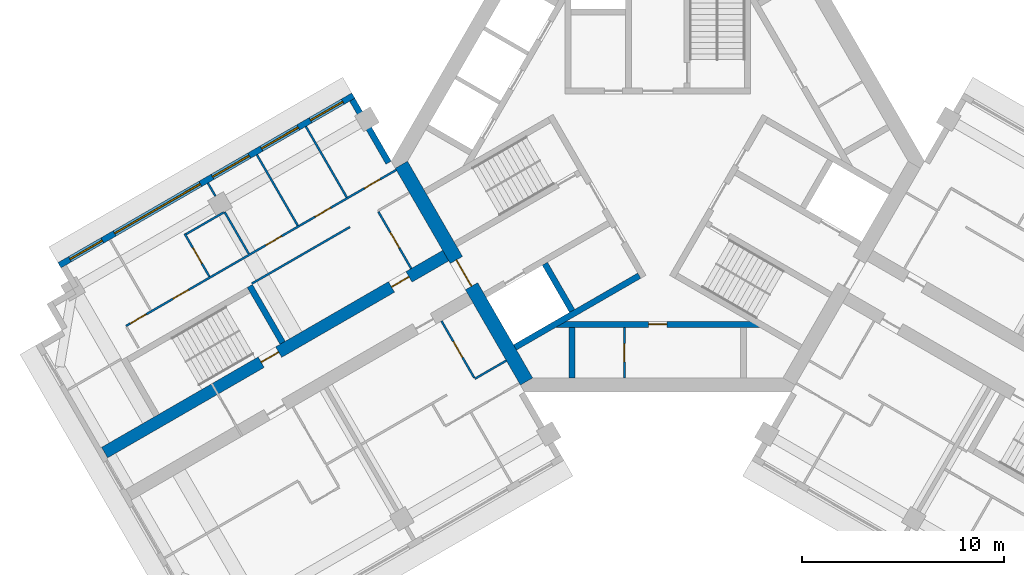
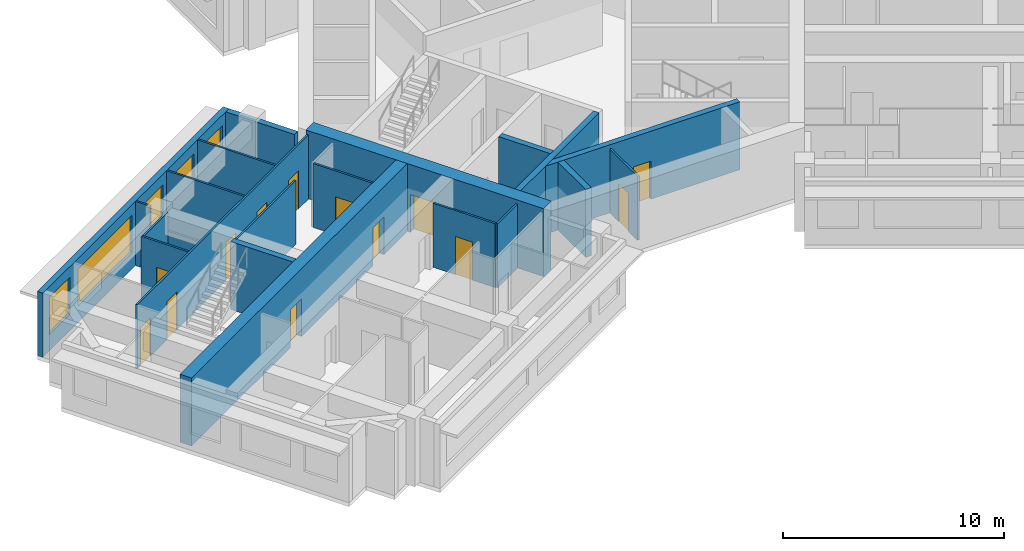
# One storey, part 3 of 10: 21 walls, 13 doors, 5 windows, 18 openings.
"""IFC4 building model written with IfcOpenShell, lengths in metres."""

from ifc_helpers import new_model, si_unit, direction, frame, frame_2d, origin, place, context, subcontext, project, spatial, rectangle, extrude, material, layer, layer_set, type_object, element, fill, save


model = new_model("IFC4")

# Units and contexts
model_context = context("Model", 3, precision=1e-05, world=origin(), true_north=direction((0.0, 1.0)))
body_context = subcontext(model_context, "Body", "Model", "MODEL_VIEW")
ifc_project = project(units=[si_unit("LENGTHUNIT", "METRE"), si_unit("AREAUNIT", "SQUARE_METRE"), si_unit("VOLUMEUNIT", "CUBIC_METRE"), si_unit("PLANEANGLEUNIT", "RADIAN"), si_unit("MASSUNIT", "GRAM", prefix="KILO")], contexts=[model_context])

# Site, building, storey
site_placement = place(None, origin())
site = spatial("IfcSite", under=ifc_project, at=site_placement, CompositionType="ELEMENT")
building_placement = place(site_placement, origin())
building = spatial("IfcBuilding", under=site, at=building_placement, Name="Impinga Residences", CompositionType="ELEMENT")
storey_placement = place(building_placement, frame((0.0, 0.0, 226.0)))
storey = spatial("IfcBuildingStorey", under=building, at=storey_placement, Name="L56", CompositionType="ELEMENT", Elevation=226.0)

# Wall, openings, doors
ifc_material_1 = material(Name="Concrete C60/75", Category="concrete")
ifc_layer_1 = layer(ifc_material_1, 0.60009765625)
ifc_layer_set_1 = layer_set([ifc_layer_1], Name="Concrete C60/75")
wall_type_1 = type_object("IfcWallType", Name="BW3 corridor buttress wall, L46 to L73 600", PredefinedType="SHEAR", material=ifc_layer_set_1)
wall_1_placement = place(storey_placement, frame((-10.19677734375, -4.50146484375, 0.0), z_axis=(0.0, 0.0, 1.0), x_axis=(-0.866025214745, -0.500000327426, 0.0)))
wall_1 = element("IfcWall", 1, at=wall_1_placement, inside=storey, type_object=wall_type_1, Name="Corridor wall BW3 WD L56", PredefinedType="SHEAR", context=body_context, shape_type="SweptSolid", body=[
    extrude(rectangle(XDim=19.85009765625, YDim=0.60009765625, at=frame_2d((9.925048828125, 0.0))), origin(), (0.0, 0.0, 1.0), 3.75),
])
opening_1_placement = place(wall_1_placement, frame((9.89990234375, 0.0, 0.0)))
opening_1 = element("IfcOpeningElement", 2, at=opening_1_placement, cuts=wall_1, Name="Opening D5", PredefinedType="OPENING", context=body_context, shape_type="SweptSolid", body=[
    extrude(rectangle(XDim=1.0, YDim=2.10009765625, at=frame_2d((0.5, 1.050048828125))), frame((0.0, 0.31005859375, 0.0), z_axis=(0.0, -1.0, 0.0), x_axis=(1.0, 0.0, 0.0)), (0.0, 0.0, 1.0), 0.6201171875),
])
opening_2_placement = place(wall_1_placement, frame((2.449951171875, 0.0, 0.0)))
opening_2 = element("IfcOpeningElement", 3, at=opening_2_placement, cuts=wall_1, Name="Opening D1", PredefinedType="OPENING", context=body_context, shape_type="SweptSolid", body=[
    extrude(rectangle(XDim=1.0, YDim=2.10009765625, at=frame_2d((0.5, 1.050048828125))), frame((0.0, 0.31005859375, 0.0), z_axis=(0.0, -1.0, 0.0), x_axis=(1.0, 0.0, 0.0)), (0.0, 0.0, 1.0), 0.6201171875),
])
ifc_material_2 = material(Name="Timber door set", Category="wood")
door_type_1 = type_object("IfcDoorType", Name="D1 apartment entrance door 1000x2100", OperationType="SINGLE_SWING_LEFT", PredefinedType="DOOR", material=ifc_material_2)
door_1_placement = place(opening_2_placement, origin())
door_1 = element("IfcDoor", 4, at=door_1_placement, inside=storey, type_object=door_type_1, Name="Apartment L56-WF1 entrance", OperationType="SINGLE_SWING_LEFT", OverallHeight=2.10009765625, OverallWidth=1.0, PredefinedType="DOOR", context=body_context, shape_type="SweptSolid", body=[
    extrude(rectangle(XDim=1.0, YDim=2.10009765625, at=frame_2d((0.5, 1.050048828125))), frame((0.0, 0.02490234375, 0.0), z_axis=(0.0, -1.0, 0.0), x_axis=(1.0, 0.0, 0.0)), (0.0, 0.0, 1.0), 0.050048828125),
])
fill(opening_2, door_1)
door_type_2 = type_object("IfcDoorType", Name="D5 stair door 1000x2100", OperationType="SINGLE_SWING_LEFT", PredefinedType="DOOR", material=ifc_material_2)
door_2_placement = place(opening_1_placement, origin())
door_2 = element("IfcDoor", 5, at=door_2_placement, inside=storey, type_object=door_type_2, Name="Wing stair door W", OperationType="SINGLE_SWING_RIGHT", OverallHeight=2.10009765625, OverallWidth=1.0, PredefinedType="DOOR", context=body_context, shape_type="SweptSolid", body=[
    extrude(rectangle(XDim=1.0, YDim=2.10009765625, at=frame_2d((0.5, 1.050048828125))), frame((0.0, 0.02490234375, 0.0), z_axis=(0.0, -1.0, 0.0), x_axis=(1.0, 0.0, 0.0)), (0.0, 0.0, 1.0), 0.050048828125),
])
fill(opening_1, door_2)

# Wall, opening, door
ifc_material_3 = material(Name="Concrete blockwork", Category="masonry")
ifc_layer_2 = layer(ifc_material_3, 0.10009765625)
ifc_layer_set_2 = layer_set([ifc_layer_2], Name="CP1 core room partition, blockwork 100")
wall_type_2 = type_object("IfcWallType", Name="CP1 core room partition, blockwork 100", PredefinedType="PARTITIONING", material=ifc_layer_set_2)
wall_2_placement = place(storey_placement, frame((-1.64990234375, -8.2314453125, 0.0), z_axis=(0.0, 0.0, 1.0), x_axis=(0.0, -1.0, 0.0)))
wall_2 = element("IfcWall", 6, at=wall_2_placement, inside=storey, type_object=wall_type_2, Name="Core room partition, blockwork L56:CORE:low:ZP1", PredefinedType="PARTITIONING", context=body_context, shape_type="SweptSolid", body=[
    extrude(rectangle(XDim=2.5, YDim=0.10009765625, at=frame_2d((1.25, 0.0))), origin(), (0.0, 0.0, 1.0), 3.530029296875),
])
opening_3_placement = place(wall_2_placement, frame((0.800048828125, 0.0, 0.0)))
opening_3 = element("IfcOpeningElement", 7, at=opening_3_placement, cuts=wall_2, Name="Opening D6", PredefinedType="OPENING", context=body_context, shape_type="SweptSolid", body=[
    extrude(rectangle(XDim=0.89990234375, YDim=2.10009765625, at=frame_2d((0.449951171875, 1.050048828125))), frame((0.0, 0.06005859375, 0.0), z_axis=(0.0, -1.0, 0.0), x_axis=(1.0, 0.0, 0.0)), (0.0, 0.0, 1.0), 0.1201171875),
])
door_type_3 = type_object("IfcDoorType", Name="D6 riser and store door 900x2100", OperationType="SINGLE_SWING_LEFT", PredefinedType="DOOR", material=ifc_material_2)
door_3_placement = place(opening_3_placement, origin())
door_3 = element("IfcDoor", 8, at=door_3_placement, inside=storey, type_object=door_type_3, Name="Residents' storage lockers door", OperationType="SINGLE_SWING_LEFT", OverallHeight=2.10009765625, OverallWidth=0.89990234375, PredefinedType="DOOR", context=body_context, shape_type="SweptSolid", body=[
    extrude(rectangle(XDim=0.89990234375, YDim=2.10009765625, at=frame_2d((0.449951171875, 1.050048828125))), frame((0.0, 0.02490234375, 0.0), z_axis=(0.0, -1.0, 0.0), x_axis=(1.0, 0.0, 0.0)), (0.0, 0.0, 1.0), 0.050048828125),
])
fill(opening_3, door_3)

# Wall, openings, windows
ifc_material_4 = material(Name="Terracotta rainscreen on blockwork", Category="masonry")
ifc_layer_3 = layer(ifc_material_4, 0.300048828125)
ifc_layer_set_3 = layer_set([ifc_layer_3], Name="EW1 external wall, terracotta rainscreen on blockwork 300")
wall_type_3 = type_object("IfcWallType", Name="EW1 external wall, terracotta rainscreen on blockwork 300", PredefinedType="SOLIDWALL", material=ifc_layer_set_3)
wall_3_placement = place(storey_placement, frame((-29.624267578125, -5.15234375, 0.0), z_axis=(0.0, 0.0, 1.0), x_axis=(0.86602925447, 0.499993330357, 0.0)))
wall_3 = element("IfcWall", 9, at=wall_3_placement, inside=storey, type_object=wall_type_3, Name="External wall EW1 L56", PredefinedType="SOLIDWALL", context=body_context, shape_type="SweptSolid", body=[
    extrude(rectangle(XDim=16.800048828125, YDim=0.300048828125, at=frame_2d((8.39990234375, 0.0))), origin(), (0.0, 0.0, 1.0), 3.530029296875),
])
opening_4_placement = place(wall_3_placement, frame((0.60009765625, 0.0, 0.89990234375)))
opening_4 = element("IfcOpeningElement", 10, at=opening_4_placement, cuts=wall_3, Name="Opening W15", PredefinedType="OPENING", context=body_context, shape_type="SweptSolid", body=[
    extrude(rectangle(XDim=1.85009765625, YDim=2.050048828125, at=frame_2d((0.925048828125, 1.02490234375))), frame((0.0, 0.159912109375, 0.0), z_axis=(0.0, -1.0, 0.0), x_axis=(1.0, 0.0, 0.0)), (0.0, 0.0, 1.0), 0.320068359375),
])
opening_5_placement = place(wall_3_placement, frame((3.14990234375, 0.0, 0.89990234375)))
opening_5 = element("IfcOpeningElement", 11, at=opening_5_placement, cuts=wall_3, Name="Opening W16", PredefinedType="OPENING", context=body_context, shape_type="SweptSolid", body=[
    extrude(rectangle(XDim=4.89990234375, YDim=2.050048828125, at=frame_2d((2.449951171875, 1.02490234375))), frame((0.0, 0.159912109375, 0.0), z_axis=(0.0, -1.0, 0.0), x_axis=(1.0, 0.0, 0.0)), (0.0, 0.0, 1.0), 0.320068359375),
])
opening_6_placement = place(wall_3_placement, frame((8.75, 0.0, 0.89990234375)))
opening_6 = element("IfcOpeningElement", 12, at=opening_6_placement, cuts=wall_3, Name="Opening W9", PredefinedType="OPENING", context=body_context, shape_type="SweptSolid", body=[
    extrude(rectangle(XDim=2.10009765625, YDim=2.050048828125, at=frame_2d((1.050048828125, 1.02490234375))), frame((0.0, 0.159912109375, 0.0), z_axis=(0.0, -1.0, 0.0), x_axis=(1.0, 0.0, 0.0)), (0.0, 0.0, 1.0), 0.320068359375),
])
opening_7_placement = place(wall_3_placement, frame((11.550048828125, 0.0, 0.89990234375)))
opening_7 = element("IfcOpeningElement", 13, at=opening_7_placement, cuts=wall_3, Name="Opening W9", PredefinedType="OPENING", context=body_context, shape_type="SweptSolid", body=[
    extrude(rectangle(XDim=2.10009765625, YDim=2.050048828125, at=frame_2d((1.050048828125, 1.02490234375))), frame((0.0, 0.159912109375, 0.0), z_axis=(0.0, -1.0, 0.0), x_axis=(1.0, 0.0, 0.0)), (0.0, 0.0, 1.0), 0.320068359375),
])
opening_8_placement = place(wall_3_placement, frame((14.35009765625, 0.0, 0.89990234375)))
opening_8 = element("IfcOpeningElement", 14, at=opening_8_placement, cuts=wall_3, Name="Opening W15", PredefinedType="OPENING", context=body_context, shape_type="SweptSolid", body=[
    extrude(rectangle(XDim=1.85009765625, YDim=2.050048828125, at=frame_2d((0.925048828125, 1.02490234375))), frame((0.0, 0.159912109375, 0.0), z_axis=(0.0, -1.0, 0.0), x_axis=(1.0, 0.0, 0.0)), (0.0, 0.0, 1.0), 0.320068359375),
])
ifc_material_5 = material(Name="Aluminium window, clear double glazing", Category="aluminium")
window_type_1 = type_object("IfcWindowType", Name="W15 ribbon window 1850x2050", PartitioningType="SINGLE_PANEL", PredefinedType="WINDOW", material=ifc_material_5)
window_1_placement = place(opening_4_placement, origin())
window_1 = element("IfcWindow", 15, at=window_1_placement, inside=storey, type_object=window_type_1, Name="Window L56", OverallHeight=2.050048828125, OverallWidth=1.85009765625, PartitioningType="SINGLE_PANEL", PredefinedType="WINDOW", context=body_context, shape_type="SweptSolid", body=[
    extrude(rectangle(XDim=1.85009765625, YDim=2.050048828125, at=frame_2d((0.925048828125, 1.02490234375))), frame((0.0, 0.030029296875, 0.0), z_axis=(0.0, -1.0, 0.0), x_axis=(1.0, 0.0, 0.0)), (0.0, 0.0, 1.0), 0.06005859375),
])
fill(opening_4, window_1)
window_2_placement = place(opening_8_placement, origin())
window_2 = element("IfcWindow", 16, at=window_2_placement, inside=storey, type_object=window_type_1, Name="Window L56", OverallHeight=2.050048828125, OverallWidth=1.85009765625, PartitioningType="SINGLE_PANEL", PredefinedType="WINDOW", context=body_context, shape_type="SweptSolid", body=[
    extrude(rectangle(XDim=1.85009765625, YDim=2.050048828125, at=frame_2d((0.925048828125, 1.02490234375))), frame((0.0, 0.030029296875, 0.0), z_axis=(0.0, -1.0, 0.0), x_axis=(1.0, 0.0, 0.0)), (0.0, 0.0, 1.0), 0.06005859375),
])
fill(opening_8, window_2)
window_type_2 = type_object("IfcWindowType", Name="W16 ribbon window 4900x2050", PartitioningType="SINGLE_PANEL", PredefinedType="WINDOW", material=ifc_material_5)
window_3_placement = place(opening_5_placement, origin())
window_3 = element("IfcWindow", 17, at=window_3_placement, inside=storey, type_object=window_type_2, Name="Window L56", OverallHeight=2.050048828125, OverallWidth=4.89990234375, PartitioningType="SINGLE_PANEL", PredefinedType="WINDOW", context=body_context, shape_type="SweptSolid", body=[
    extrude(rectangle(XDim=4.89990234375, YDim=2.050048828125, at=frame_2d((2.449951171875, 1.02490234375))), frame((0.0, 0.030029296875, 0.0), z_axis=(0.0, -1.0, 0.0), x_axis=(1.0, 0.0, 0.0)), (0.0, 0.0, 1.0), 0.06005859375),
])
fill(opening_5, window_3)
window_type_3 = type_object("IfcWindowType", Name="W9 ribbon window 2100x2050", PartitioningType="SINGLE_PANEL", PredefinedType="WINDOW", material=ifc_material_5)
window_4_placement = place(opening_6_placement, origin())
window_4 = element("IfcWindow", 18, at=window_4_placement, inside=storey, type_object=window_type_3, Name="Window L56", OverallHeight=2.050048828125, OverallWidth=2.10009765625, PartitioningType="SINGLE_PANEL", PredefinedType="WINDOW", context=body_context, shape_type="SweptSolid", body=[
    extrude(rectangle(XDim=2.10009765625, YDim=2.050048828125, at=frame_2d((1.050048828125, 1.02490234375))), frame((0.0, 0.030029296875, 0.0), z_axis=(0.0, -1.0, 0.0), x_axis=(1.0, 0.0, 0.0)), (0.0, 0.0, 1.0), 0.06005859375),
])
fill(opening_6, window_4)
window_5_placement = place(opening_7_placement, origin())
window_5 = element("IfcWindow", 19, at=window_5_placement, inside=storey, type_object=window_type_3, Name="Window L56", OverallHeight=2.050048828125, OverallWidth=2.10009765625, PartitioningType="SINGLE_PANEL", PredefinedType="WINDOW", context=body_context, shape_type="SweptSolid", body=[
    extrude(rectangle(XDim=2.10009765625, YDim=2.050048828125, at=frame_2d((1.050048828125, 1.02490234375))), frame((0.0, 0.030029296875, 0.0), z_axis=(0.0, -1.0, 0.0), x_axis=(1.0, 0.0, 0.0)), (0.0, 0.0, 1.0), 0.06005859375),
])
fill(opening_7, window_5)

# Walls
wall_4_placement = place(storey_placement, frame((-15.1298828125, 3.042724609375, 0.0), z_axis=(0.0, 0.0, 1.0), x_axis=(0.500012057535, -0.866018442252, 0.0)))
element("IfcWall", 20, at=wall_4_placement, inside=storey, type_object=wall_type_3, Name="External wall EW1 L56", PredefinedType="SOLIDWALL", context=body_context, shape_type="SweptSolid", body=[
    extrude(rectangle(XDim=3.60009765625, YDim=0.300048828125, at=frame_2d((1.800048828125, 0.0))), origin(), (0.0, 0.0, 1.0), 3.530029296875),
])
ifc_material_6 = material(Name="Gypsum board on steel studs", Category="steel")
ifc_layer_4 = layer(ifc_material_6, 0.10009765625)
ifc_layer_set_4 = layer_set([ifc_layer_4], Name="Gypsum board on steel studs")
wall_type_4 = type_object("IfcWallType", Name="IP1 partition 100", PredefinedType="PARTITIONING", material=ifc_layer_set_4)
wall_5_placement = place(storey_placement, frame((-7.5, -9.872802734375, 0.0), z_axis=(0.0, 0.0, 1.0), x_axis=(-0.866047807691, -0.499961193289, 0.0)))
element("IfcWall", 21, at=wall_5_placement, inside=storey, type_object=wall_type_4, Name="Partition L56-WA1:DIV0", PredefinedType="PARTITIONING", context=body_context, shape_type="SweptSolid", body=[
    extrude(rectangle(XDim=1.800048828125, YDim=0.10009765625, at=frame_2d((0.89990234375, 0.0))), origin(), (0.0, 0.0, 1.0), 3.530029296875),
])

# Wall, opening, door
wall_6_placement = place(storey_placement, frame((-10.708740234375, -7.914794921875, 0.0), z_axis=(0.0, 0.0, 1.0), x_axis=(0.499984717929, -0.866034226713, 0.0)))
wall_6 = element("IfcWall", 22, at=wall_6_placement, inside=storey, type_object=wall_type_4, Name="Partition L56-WA1:IB1", PredefinedType="PARTITIONING", context=body_context, shape_type="SweptSolid", body=[
    extrude(rectangle(XDim=3.25, YDim=0.10009765625, at=frame_2d((1.625, 0.0))), origin(), (0.0, 0.0, 1.0), 3.530029296875),
])
opening_9_placement = place(wall_6_placement, frame((1.175048828125, 0.0, 0.0)))
opening_9 = element("IfcOpeningElement", 23, at=opening_9_placement, cuts=wall_6, Name="Opening D2", PredefinedType="OPENING", context=body_context, shape_type="SweptSolid", body=[
    extrude(rectangle(XDim=0.89990234375, YDim=2.10009765625, at=frame_2d((0.449951171875, 1.050048828125))), frame((0.0, 0.06005859375, 0.0), z_axis=(0.0, -1.0, 0.0), x_axis=(1.0, 0.0, 0.0)), (0.0, 0.0, 1.0), 0.1201171875),
])
door_type_4 = type_object("IfcDoorType", Name="D2 internal door 900x2100", OperationType="SINGLE_SWING_LEFT", PredefinedType="DOOR", material=ifc_material_2)
door_4_placement = place(opening_9_placement, origin())
door_4 = element("IfcDoor", 24, at=door_4_placement, inside=storey, type_object=door_type_4, Name="Apartment L56-WA1 bathroom door", OperationType="SINGLE_SWING_LEFT", OverallHeight=2.10009765625, OverallWidth=0.89990234375, PredefinedType="DOOR", context=body_context, shape_type="SweptSolid", body=[
    extrude(rectangle(XDim=0.89990234375, YDim=2.10009765625, at=frame_2d((0.449951171875, 1.050048828125))), frame((0.0, 0.02490234375, 0.0), z_axis=(0.0, -1.0, 0.0), x_axis=(1.0, 0.0, 0.0)), (0.0, 0.0, 1.0), 0.050048828125),
])
fill(opening_9, door_4)

# Wall
wall_7_placement = place(storey_placement, frame((-15.244384765625, -3.2587890625, 0.0), z_axis=(0.0, 0.0, 1.0), x_axis=(-0.866026594901, -0.49999793692, 0.0)))
element("IfcWall", 25, at=wall_7_placement, inside=storey, type_object=wall_type_4, Name="Partition L56-WF1:DIV1", PredefinedType="PARTITIONING", context=body_context, shape_type="SweptSolid", body=[
    extrude(rectangle(XDim=5.60009765625, YDim=0.10009765625, at=frame_2d((2.800048828125, 0.0))), origin(), (0.0, 0.0, 1.0), 3.530029296875),
])

# Wall, openings, doors
wall_8_placement = place(storey_placement, frame((-12.949951171875, -0.43310546875, 0.0), z_axis=(0.0, 0.0, 1.0), x_axis=(-0.866030066916, -0.499991923133, 0.0)))
wall_8 = element("IfcWall", 26, at=wall_8_placement, inside=storey, type_object=wall_type_4, Name="Partition L56-WF1:STRIP", PredefinedType="PARTITIONING", context=body_context, shape_type="SweptSolid", body=[
    extrude(rectangle(XDim=15.449951171875, YDim=0.10009765625, at=frame_2d((7.72509765625, 0.0))), origin(), (0.0, 0.0, 1.0), 3.530029296875),
])
opening_10_placement = place(wall_8_placement, frame((0.925048828125, 0.0, 0.0)))
opening_10 = element("IfcOpeningElement", 27, at=opening_10_placement, cuts=wall_8, Name="Opening D2", PredefinedType="OPENING", context=body_context, shape_type="SweptSolid", body=[
    extrude(rectangle(XDim=0.89990234375, YDim=2.10009765625, at=frame_2d((0.449951171875, 1.050048828125))), frame((0.0, 0.06005859375, 0.0), z_axis=(0.0, -1.0, 0.0), x_axis=(1.0, 0.0, 0.0)), (0.0, 0.0, 1.0), 0.1201171875),
])
opening_11_placement = place(wall_8_placement, frame((3.75, 0.0, 0.0)))
opening_11 = element("IfcOpeningElement", 28, at=opening_11_placement, cuts=wall_8, Name="Opening D2", PredefinedType="OPENING", context=body_context, shape_type="SweptSolid", body=[
    extrude(rectangle(XDim=0.89990234375, YDim=2.10009765625, at=frame_2d((0.449951171875, 1.050048828125))), frame((0.0, 0.06005859375, 0.0), z_axis=(0.0, -1.0, 0.0), x_axis=(1.0, 0.0, 0.0)), (0.0, 0.0, 1.0), 0.1201171875),
])
opening_12_placement = place(wall_8_placement, frame((6.550048828125, 0.0, 0.0)))
opening_12 = element("IfcOpeningElement", 29, at=opening_12_placement, cuts=wall_8, Name="Opening D2", PredefinedType="OPENING", context=body_context, shape_type="SweptSolid", body=[
    extrude(rectangle(XDim=0.89990234375, YDim=2.10009765625, at=frame_2d((0.449951171875, 1.050048828125))), frame((0.0, 0.06005859375, 0.0), z_axis=(0.0, -1.0, 0.0), x_axis=(1.0, 0.0, 0.0)), (0.0, 0.0, 1.0), 0.1201171875),
])
opening_13_placement = place(wall_8_placement, frame((11.875, 0.0, 0.0)))
opening_13 = element("IfcOpeningElement", 30, at=opening_13_placement, cuts=wall_8, Name="Opening D2", PredefinedType="OPENING", context=body_context, shape_type="SweptSolid", body=[
    extrude(rectangle(XDim=0.89990234375, YDim=2.10009765625, at=frame_2d((0.449951171875, 1.050048828125))), frame((0.0, 0.06005859375, 0.0), z_axis=(0.0, -1.0, 0.0), x_axis=(1.0, 0.0, 0.0)), (0.0, 0.0, 1.0), 0.1201171875),
])
opening_14_placement = place(wall_8_placement, frame((14.300048828125, 0.0, 0.0)))
opening_14 = element("IfcOpeningElement", 31, at=opening_14_placement, cuts=wall_8, Name="Opening D2", PredefinedType="OPENING", context=body_context, shape_type="SweptSolid", body=[
    extrude(rectangle(XDim=0.89990234375, YDim=2.10009765625, at=frame_2d((0.449951171875, 1.050048828125))), frame((0.0, 0.06005859375, 0.0), z_axis=(0.0, -1.0, 0.0), x_axis=(1.0, 0.0, 0.0)), (0.0, 0.0, 1.0), 0.1201171875),
])
door_5_placement = place(opening_10_placement, origin())
door_5 = element("IfcDoor", 32, at=door_5_placement, inside=storey, type_object=door_type_4, Name="Apartment L56-WF1 room door", OperationType="SINGLE_SWING_LEFT", OverallHeight=2.10009765625, OverallWidth=0.89990234375, PredefinedType="DOOR", context=body_context, shape_type="SweptSolid", body=[
    extrude(rectangle(XDim=0.89990234375, YDim=2.10009765625, at=frame_2d((0.449951171875, 1.050048828125))), frame((0.0, 0.02490234375, 0.0), z_axis=(0.0, -1.0, 0.0), x_axis=(1.0, 0.0, 0.0)), (0.0, 0.0, 1.0), 0.050048828125),
])
fill(opening_10, door_5)
door_6_placement = place(opening_11_placement, origin())
door_6 = element("IfcDoor", 33, at=door_6_placement, inside=storey, type_object=door_type_4, Name="Apartment L56-WF1 room door", OperationType="SINGLE_SWING_LEFT", OverallHeight=2.10009765625, OverallWidth=0.89990234375, PredefinedType="DOOR", context=body_context, shape_type="SweptSolid", body=[
    extrude(rectangle(XDim=0.89990234375, YDim=2.10009765625, at=frame_2d((0.449951171875, 1.050048828125))), frame((0.0, 0.02490234375, 0.0), z_axis=(0.0, -1.0, 0.0), x_axis=(1.0, 0.0, 0.0)), (0.0, 0.0, 1.0), 0.050048828125),
])
fill(opening_11, door_6)
door_7_placement = place(opening_12_placement, origin())
door_7 = element("IfcDoor", 34, at=door_7_placement, inside=storey, type_object=door_type_4, Name="Apartment L56-WF1 room door", OperationType="SINGLE_SWING_LEFT", OverallHeight=2.10009765625, OverallWidth=0.89990234375, PredefinedType="DOOR", context=body_context, shape_type="SweptSolid", body=[
    extrude(rectangle(XDim=0.89990234375, YDim=2.10009765625, at=frame_2d((0.449951171875, 1.050048828125))), frame((0.0, 0.02490234375, 0.0), z_axis=(0.0, -1.0, 0.0), x_axis=(1.0, 0.0, 0.0)), (0.0, 0.0, 1.0), 0.050048828125),
])
fill(opening_12, door_7)
door_8_placement = place(opening_13_placement, origin())
door_8 = element("IfcDoor", 35, at=door_8_placement, inside=storey, type_object=door_type_4, Name="Apartment L56-WF1 room door", OperationType="SINGLE_SWING_RIGHT", OverallHeight=2.10009765625, OverallWidth=0.89990234375, PredefinedType="DOOR", context=body_context, shape_type="SweptSolid", body=[
    extrude(rectangle(XDim=0.89990234375, YDim=2.10009765625, at=frame_2d((0.449951171875, 1.050048828125))), frame((0.0, 0.02490234375, 0.0), z_axis=(0.0, -1.0, 0.0), x_axis=(1.0, 0.0, 0.0)), (0.0, 0.0, 1.0), 0.050048828125),
])
fill(opening_13, door_8)
door_9_placement = place(opening_14_placement, origin())
door_9 = element("IfcDoor", 36, at=door_9_placement, inside=storey, type_object=door_type_4, Name="Apartment L56-WF1 room door", OperationType="SINGLE_SWING_RIGHT", OverallHeight=2.10009765625, OverallWidth=0.89990234375, PredefinedType="DOOR", context=body_context, shape_type="SweptSolid", body=[
    extrude(rectangle(XDim=0.89990234375, YDim=2.10009765625, at=frame_2d((0.449951171875, 1.050048828125))), frame((0.0, 0.02490234375, 0.0), z_axis=(0.0, -1.0, 0.0), x_axis=(1.0, 0.0, 0.0)), (0.0, 0.0, 1.0), 0.050048828125),
])
fill(opening_14, door_9)

# Wall, opening, door
wall_9_placement = place(storey_placement, frame((-12.208740234375, -5.316650390625, 0.0), z_axis=(0.0, 0.0, 1.0), x_axis=(-0.500017246033, 0.866015446554, 0.0)))
wall_9 = element("IfcWall", 37, at=wall_9_placement, inside=storey, type_object=wall_type_4, Name="Partition L56-WF1:IB1", PredefinedType="PARTITIONING", context=body_context, shape_type="SweptSolid", body=[
    extrude(rectangle(XDim=3.25, YDim=0.10009765625, at=frame_2d((1.625, 0.0))), origin(), (0.0, 0.0, 1.0), 3.530029296875),
])
opening_15_placement = place(wall_9_placement, frame((1.175048828125, 0.0, 0.0)))
opening_15 = element("IfcOpeningElement", 38, at=opening_15_placement, cuts=wall_9, Name="Opening D2", PredefinedType="OPENING", context=body_context, shape_type="SweptSolid", body=[
    extrude(rectangle(XDim=0.89990234375, YDim=2.10009765625, at=frame_2d((0.449951171875, 1.050048828125))), frame((0.0, 0.06005859375, 0.0), z_axis=(0.0, -1.0, 0.0), x_axis=(1.0, 0.0, 0.0)), (0.0, 0.0, 1.0), 0.1201171875),
])
door_10_placement = place(opening_15_placement, origin())
door_10 = element("IfcDoor", 39, at=door_10_placement, inside=storey, type_object=door_type_4, Name="Apartment L56-WF1 bathroom door", OperationType="SINGLE_SWING_LEFT", OverallHeight=2.10009765625, OverallWidth=0.89990234375, PredefinedType="DOOR", context=body_context, shape_type="SweptSolid", body=[
    extrude(rectangle(XDim=0.89990234375, YDim=2.10009765625, at=frame_2d((0.449951171875, 1.050048828125))), frame((0.0, 0.02490234375, 0.0), z_axis=(0.0, -1.0, 0.0), x_axis=(1.0, 0.0, 0.0)), (0.0, 0.0, 1.0), 0.050048828125),
])
fill(opening_15, door_10)

# Walls
for number, where, z_axis, x_axis, name in (
    (40, (-15.39990234375, -1.789794921875, 0.0), (0.0, 0.0, 1.0), (-0.499964223975, 0.866046058097, 0.0), "Partition L56-WF1:OB1"),
    (41, (-17.82470703125, -3.189697265625, 0.0), (0.0, 0.0, 1.0), (-0.500035537042, 0.866004885491, 0.0), "Partition L56-WF1:OB2"),
):
    element("IfcWall", number, at=place(storey_placement, frame(where, z_axis=z_axis, x_axis=x_axis)), inside=storey, type_object=wall_type_4, Name=name, PredefinedType="PARTITIONING", context=body_context, shape_type="SweptSolid", body=[
        extrude(rectangle(XDim=4.050048828125, YDim=0.10009765625, at=frame_2d((2.02490234375, 0.0))), origin(), (0.0, 0.0, 1.0), 3.530029296875),
    ])
wall_10_placement = place(storey_placement, frame((-20.24951171875, -4.589599609375, 0.0), z_axis=(0.0, 0.0, 1.0), x_axis=(-0.500077600433, 0.865980596518, 0.0)))
element("IfcWall", 42, at=wall_10_placement, inside=storey, type_object=wall_type_4, Name="Partition L56-WF1:OB3", PredefinedType="PARTITIONING", context=body_context, shape_type="SweptSolid", body=[
    extrude(rectangle(XDim=2.39990234375, YDim=0.10009765625, at=frame_2d((1.199951171875, 0.0))), origin(), (0.0, 0.0, 1.0), 2.47998046875),
])
wall_11_placement = place(storey_placement, frame((-21.899658203125, -1.73193359375, 0.0), z_axis=(0.0, 0.0, 1.0), x_axis=(-0.499919672301, 0.866071776036, 0.0)))
element("IfcWall", 43, at=wall_11_placement, inside=storey, type_object=wall_type_4, Name="Partition L56-WF1:OB3b", PredefinedType="PARTITIONING", context=body_context, shape_type="SweptSolid", body=[
    extrude(rectangle(XDim=0.75, YDim=0.10009765625, at=frame_2d((0.375, 0.0))), origin(), (0.0, 0.0, 1.0), 3.530029296875),
])

# Wall, opening, door
wall_12_placement = place(storey_placement, frame((-22.1982421875, -5.714599609375, 0.0), z_axis=(0.0, 0.0, 1.0), x_axis=(-0.499987006516, 0.866032905446, 0.0)))
wall_12 = element("IfcWall", 44, at=wall_12_placement, inside=storey, type_object=wall_type_4, Name="Partition L56-WF1:EN1", PredefinedType="PARTITIONING", context=body_context, shape_type="SweptSolid", body=[
    extrude(rectangle(XDim=2.44970703125, YDim=0.10009765625, at=frame_2d((1.224853515625, 0.0))), origin(), (0.0, 0.0, 1.0), 3.530029296875),
])
opening_16_placement = place(wall_12_placement, frame((0.75, 0.0, 0.0)))
opening_16 = element("IfcOpeningElement", 45, at=opening_16_placement, cuts=wall_12, Name="Opening D2", PredefinedType="OPENING", context=body_context, shape_type="SweptSolid", body=[
    extrude(rectangle(XDim=0.89990234375, YDim=2.10009765625, at=frame_2d((0.449951171875, 1.050048828125))), frame((0.0, 0.06005859375, 0.0), z_axis=(0.0, -1.0, 0.0), x_axis=(1.0, 0.0, 0.0)), (0.0, 0.0, 1.0), 0.1201171875),
])
door_11_placement = place(opening_16_placement, origin())
door_11 = element("IfcDoor", 46, at=door_11_placement, inside=storey, type_object=door_type_4, Name="Apartment L56-WF1 en-suite door", OperationType="SINGLE_SWING_LEFT", OverallHeight=2.10009765625, OverallWidth=0.89990234375, PredefinedType="DOOR", context=body_context, shape_type="SweptSolid", body=[
    extrude(rectangle(XDim=0.89990234375, YDim=2.10009765625, at=frame_2d((0.449951171875, 1.050048828125))), frame((0.0, 0.02490234375, 0.0), z_axis=(0.0, -1.0, 0.0), x_axis=(1.0, 0.0, 0.0)), (0.0, 0.0, 1.0), 0.050048828125),
])
fill(opening_16, door_11)

# Walls
wall_13_placement = place(storey_placement, frame((-21.492919921875, -2.5361328125, 0.0), z_axis=(0.0, 0.0, 1.0), x_axis=(-0.865998386012, -0.500046793234, 0.0)))
element("IfcWall", 47, at=wall_13_placement, inside=storey, type_object=wall_type_4, Name="Partition L56-WF1:EN2", PredefinedType="PARTITIONING", context=body_context, shape_type="SweptSolid", body=[
    extrude(rectangle(XDim=2.150146484375, YDim=0.10009765625, at=frame_2d((1.0751953125, 0.0))), origin(), (0.0, 0.0, 1.0), 3.530029296875),
])
ifc_layer_5 = layer(ifc_material_1, 0.300048828125)
ifc_layer_set_5 = layer_set([ifc_layer_5], Name="Concrete C60/75")
wall_type_5 = type_object("IfcWallType", Name="SE1 wing stair enclosure wall 300", PredefinedType="SOLIDWALL", material=ifc_layer_set_5)
wall_14_placement = place(storey_placement, frame((-18.57421875, -8.99169921875, 0.0), z_axis=(0.0, 0.0, 1.0), x_axis=(-0.500017246033, 0.866015446554, 0.0)))
element("IfcWall", 48, at=wall_14_placement, inside=storey, type_object=wall_type_5, Name="Stair enclosure wall SE1 W END0 L56", PredefinedType="SOLIDWALL", context=body_context, shape_type="SweptSolid", body=[
    extrude(rectangle(XDim=3.25, YDim=0.300048828125, at=frame_2d((1.625, 0.0))), origin(), (0.0, 0.0, 1.0), 3.75),
])

# Wall, opening, door
ifc_layer_6 = layer(ifc_material_1, 0.699951171875)
ifc_layer_set_6 = layer_set([ifc_layer_6], Name="Concrete C60/75")
wall_type_6 = type_object("IfcWallType", Name="SW3 core wall 700", PredefinedType="SHEAR", material=ifc_layer_set_6)
wall_15_placement = place(storey_placement, frame((-6.4990234375, -10.906494140625, 0.0), z_axis=(0.0, 0.0, 1.0), x_axis=(-0.499999875397, 0.866025475724, 0.0)))
wall_15 = element("IfcWall", 49, at=wall_15_placement, inside=storey, type_object=wall_type_6, Name="Core wall SW3 W:FACE L56", PredefinedType="SHEAR", context=body_context, shape_type="SweptSolid", body=[
    extrude(rectangle(XDim=12.3916015625, YDim=0.699951171875, at=frame_2d((6.19580078125, 0.0))), origin(), (0.0, 0.0, 1.0), 3.75),
])
opening_17_placement = place(wall_15_placement, frame((5.44580078125, 0.0, 0.0)))
opening_17 = element("IfcOpeningElement", 50, at=opening_17_placement, cuts=wall_15, Name="Opening D4", PredefinedType="OPENING", context=body_context, shape_type="SweptSolid", body=[
    extrude(rectangle(XDim=1.5, YDim=2.10009765625, at=frame_2d((0.75, 1.050048828125))), frame((0.0, 0.35986328125, 0.0), z_axis=(0.0, -1.0, 0.0), x_axis=(1.0, 0.0, 0.0)), (0.0, 0.0, 1.0), 0.719970703125),
])
door_type_5 = type_object("IfcDoorType", Name="D4 lobby door pair 1500x2100", OperationType="DOUBLE_DOOR_DOUBLE_SWING", PredefinedType="DOOR", material=ifc_material_2)
door_12_placement = place(opening_17_placement, origin())
door_12 = element("IfcDoor", 51, at=door_12_placement, inside=storey, type_object=door_type_5, Name="Lobby door W", OperationType="DOUBLE_DOOR_DOUBLE_SWING", OverallHeight=2.10009765625, OverallWidth=1.5, PredefinedType="DOOR", context=body_context, shape_type="SweptSolid", body=[
    extrude(rectangle(XDim=1.5, YDim=2.10009765625, at=frame_2d((0.75, 1.050048828125))), frame((0.0, 0.02490234375, 0.0), z_axis=(0.0, -1.0, 0.0), x_axis=(1.0, 0.0, 0.0)), (0.0, 0.0, 1.0), 0.050048828125),
])
fill(opening_17, door_12)

# Walls
ifc_material_7 = material(Name="Concrete C70/85", Category="concrete")
ifc_layer_7 = layer(ifc_material_7, 0.300048828125)
ifc_layer_set_7 = layer_set([ifc_layer_7], Name="Concrete C70/85")
wall_type_7 = type_object("IfcWallType", Name="SW5 core inner wall, stairs, shafts and lobbies 300", PredefinedType="SHEAR", material=ifc_layer_set_7)
wall_16_placement = place(storey_placement, frame((-0.918701171875, -5.668701171875, 0.0), z_axis=(0.0, 0.0, 1.0), x_axis=(-0.866025859768, -0.499999210213, 0.0)))
element("IfcWall", 52, at=wall_16_placement, inside=storey, type_object=wall_type_7, Name="Core wall SW5 W:FF-OUT L56", PredefinedType="SHEAR", context=body_context, shape_type="SweptSolid", body=[
    extrude(rectangle(XDim=7.1015625, YDim=0.300048828125, at=frame_2d((3.55078125, 0.0))), origin(), (0.0, 0.0, 1.0), 3.75),
])
wall_17_placement = place(storey_placement, frame((-4.2412109375, -7.413818359375, 0.0), z_axis=(0.0, 0.0, 1.0), x_axis=(-0.500048589285, 0.86599734893, 0.0)))
element("IfcWall", 53, at=wall_17_placement, inside=storey, type_object=wall_type_7, Name="Core wall SW5 W:FF-RS L56", PredefinedType="SHEAR", context=body_context, shape_type="SweptSolid", body=[
    extrude(rectangle(XDim=2.699951171875, YDim=0.300048828125, at=frame_2d((1.35009765625, 0.0))), origin(), (0.0, 0.0, 1.0), 3.75),
])

# Wall, opening, door
wall_18_placement = place(storey_placement, frame((5.09765625, -8.08154296875, 0.0), z_axis=(0.0, 0.0, 1.0), x_axis=(-1.0, 0.0, 0.0)))
wall_18 = element("IfcWall", 54, at=wall_18_placement, inside=storey, type_object=wall_type_7, Name="Core wall SW5 N:BANK-FRONT L56", PredefinedType="SHEAR", context=body_context, shape_type="SweptSolid", body=[
    extrude(rectangle(XDim=10.1953125, YDim=0.300048828125, at=frame_2d((5.09765625, 0.0))), origin(), (0.0, 0.0, 1.0), 3.75),
])
opening_18_placement = place(wall_18_placement, frame((4.647705078125, 0.0, 0.0)))
opening_18 = element("IfcOpeningElement", 55, at=opening_18_placement, cuts=wall_18, Name="Opening D6", PredefinedType="OPENING", context=body_context, shape_type="SweptSolid", body=[
    extrude(rectangle(XDim=0.89990234375, YDim=2.10009765625, at=frame_2d((0.449951171875, 1.050048828125))), frame((0.0, 0.159912109375, 0.0), z_axis=(0.0, -1.0, 0.0), x_axis=(1.0, 0.0, 0.0)), (0.0, 0.0, 1.0), 0.320068359375),
])
door_13_placement = place(opening_18_placement, origin())
door_13 = element("IfcDoor", 56, at=door_13_placement, inside=storey, type_object=door_type_3, Name="Residents' study door", OperationType="SINGLE_SWING_LEFT", OverallHeight=2.10009765625, OverallWidth=0.89990234375, PredefinedType="DOOR", context=body_context, shape_type="SweptSolid", body=[
    extrude(rectangle(XDim=0.89990234375, YDim=2.10009765625, at=frame_2d((0.449951171875, 1.050048828125))), frame((0.0, 0.02490234375, 0.0), z_axis=(0.0, -1.0, 0.0), x_axis=(1.0, 0.0, 0.0)), (0.0, 0.0, 1.0), 0.050048828125),
])
fill(opening_18, door_13)

# Wall
wall_19_placement = place(storey_placement, frame((-4.25, -8.2314453125, 0.0), z_axis=(0.0, 0.0, 1.0), x_axis=(0.0, -1.0, 0.0)))
element("IfcWall", 57, at=wall_19_placement, inside=storey, type_object=wall_type_7, Name="Core wall SW5 N:BANK-R L56", PredefinedType="SHEAR", context=body_context, shape_type="SweptSolid", body=[
    extrude(rectangle(XDim=2.5, YDim=0.300048828125, at=frame_2d((1.25, 0.0))), origin(), (0.0, 0.0, 1.0), 3.75),
])

save(model, "model.ifc")
